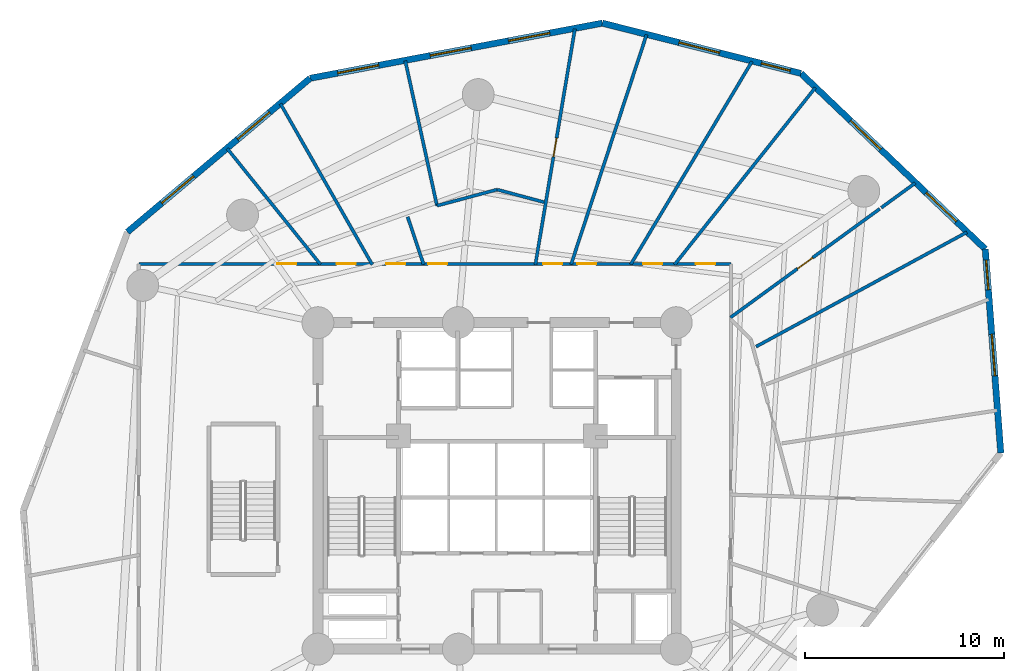
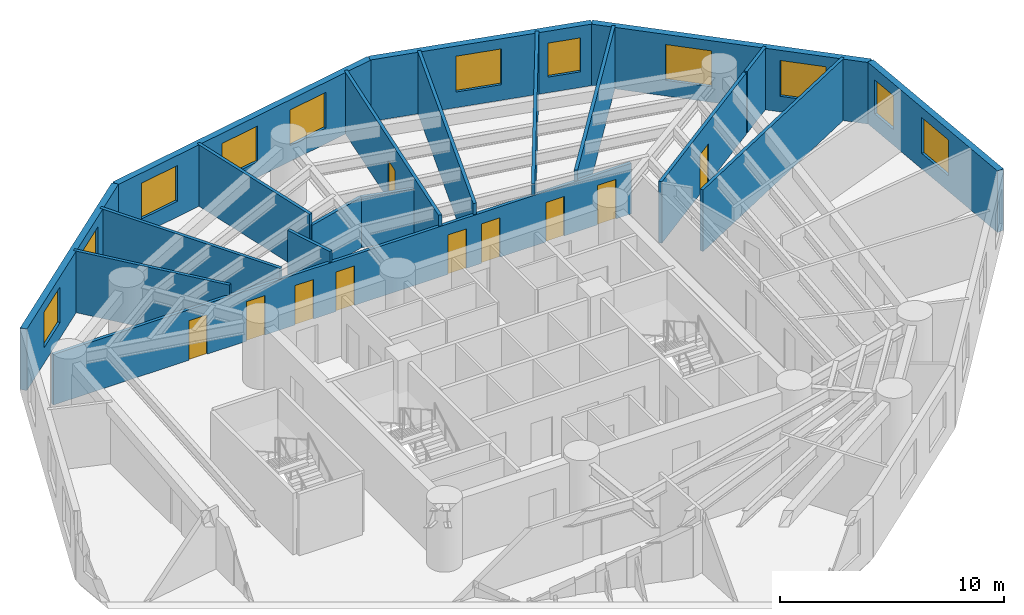
# One storey, part 6 of 8: 19 walls, 11 windows, 10 doors, 21 openings.
"""IFC4 building model written with IfcOpenShell, lengths in metres."""

from ifc_helpers import new_model, si_unit, direction, frame, frame_2d, origin, origin_with_axes, place, context, subcontext, project, spatial, rectangle, extrude, source, transform, mapped, material, layer, layer_set, type_object, element, fill, save


model = new_model("IFC4")

# Units and contexts
model_context = context("Model", 3, precision=1e-05, world=origin(), true_north=direction((0.0, 1.0)))
body_context = subcontext(model_context, "Body", "Model", "MODEL_VIEW")
ifc_project = project(units=[si_unit("LENGTHUNIT", "METRE"), si_unit("AREAUNIT", "SQUARE_METRE"), si_unit("VOLUMEUNIT", "CUBIC_METRE"), si_unit("PLANEANGLEUNIT", "RADIAN"), si_unit("MASSUNIT", "GRAM", prefix="KILO")], contexts=[model_context])

# Site, building, storey
site_placement = place(None, origin())
site = spatial("IfcSite", under=ifc_project, at=site_placement, CompositionType="ELEMENT")
building_placement = place(site_placement, origin())
building = spatial("IfcBuilding", under=site, at=building_placement, Name="Karkom Vertical University and Central Library", CompositionType="ELEMENT")
storey_placement = place(building_placement, frame((0.0, 0.0, 58.89990234375)))
storey = spatial("IfcBuildingStorey", under=building, at=storey_placement, Name="L15", CompositionType="ELEMENT", Elevation=58.89990234375)

# Wall, openings, windows
ifc_material_1 = material(Name="Brick-faced precast concrete C45/55", Category="masonry")
ifc_layer_1 = layer(ifc_material_1, 0.320068359375)
ifc_layer_set_1 = layer_set([ifc_layer_1], Name="Brick-faced precast concrete C45/55")
wall_type_1 = type_object("IfcWallType", Name="ENV-WL-BRK-320", PredefinedType="SOLIDWALL", material=ifc_layer_set_1)
wall_1_placement = place(storey_placement, frame((19.106689453125, 46.9765625, 0.0), z_axis=(0.0, 0.0, 1.0), x_axis=(-0.765142356361, -0.643861145358, 0.0)))
wall_1 = element("IfcWall", 1, at=wall_1_placement, inside=storey, type_object=wall_type_1, Name="Level 15 Brick-Faced Precast Facade Wall 01", PredefinedType="SOLIDWALL", context=body_context, shape_type="SweptSolid", body=[
    extrude(rectangle(XDim=11.993408203125, YDim=0.320068359375, at=frame_2d((5.99658203125, 0.0))), origin(), (0.0, 0.0, 1.0), 3.35009765625),
])
opening_1_placement = place(wall_1_placement, frame((2.665771484375, 0.0, 0.85009765625)))
opening_1 = element("IfcOpeningElement", 2, at=opening_1_placement, cuts=wall_1, Name="Opening WN-03", PredefinedType="OPENING", context=body_context, shape_type="SweptSolid", body=[
    extrude(rectangle(XDim=2.10009765625, YDim=1.949951171875, at=frame_2d((1.050048828125, 0.97509765625))), frame((0.0, 0.169921875, 0.0), z_axis=(0.0, -1.0, 0.0), x_axis=(1.0, 0.0, 0.0)), (0.0, 0.0, 1.0), 0.340087890625),
])
opening_2_placement = place(wall_1_placement, frame((7.647216796875, 0.0, 0.85009765625)))
opening_2 = element("IfcOpeningElement", 3, at=opening_2_placement, cuts=wall_1, Name="Opening WN-03", PredefinedType="OPENING", context=body_context, shape_type="SweptSolid", body=[
    extrude(rectangle(XDim=2.10009765625, YDim=1.949951171875, at=frame_2d((1.050048828125, 0.97509765625))), frame((0.0, 0.169921875, 0.0), z_axis=(0.0, -1.0, 0.0), x_axis=(1.0, 0.0, 0.0)), (0.0, 0.0, 1.0), 0.340087890625),
])
ifc_material_2 = material(Name="Aluminium thermal-break frame with solar-control IGU", Category="aluminium")
window_type_1 = type_object("IfcWindowType", Name="ENV-WIN-WN-03", PartitioningType="SINGLE_PANEL", PredefinedType="WINDOW", material=ifc_material_2)
shared_shape_1 = source(origin_with_axes(), body_context, "Body", "SweptSolid", [
    extrude(rectangle(XDim=2.10009765625, YDim=1.949951171875, at=frame_2d((1.050048828125, 0.97509765625))), frame((0.0, 0.030029296875, 0.0), z_axis=(0.0, -1.0, 0.0), x_axis=(1.0, 0.0, 0.0)), (0.0, 0.0, 1.0), 0.06005859375),
])
window_1_placement = place(opening_1_placement, origin())
window_1 = element("IfcWindow", 4, at=window_1_placement, inside=storey, type_object=window_type_1, Name="Level 15 Punched Window 1.1", OverallHeight=1.949951171875, OverallWidth=2.10009765625, PartitioningType="SINGLE_PANEL", PredefinedType="WINDOW", context=body_context, shape_type="MappedRepresentation", body=[
    mapped(shared_shape_1, transform((0.0, 0.0, 0.0), scale=1.0)),
])
fill(opening_1, window_1)
window_2_placement = place(opening_2_placement, origin())
window_2 = element("IfcWindow", 5, at=window_2_placement, inside=storey, type_object=window_type_1, Name="Level 15 Punched Window 1.2", OverallHeight=1.949951171875, OverallWidth=2.10009765625, PartitioningType="SINGLE_PANEL", PredefinedType="WINDOW", context=body_context, shape_type="MappedRepresentation", body=[
    mapped(shared_shape_1, transform((0.0, 0.0, 0.0), scale=1.0)),
])
fill(opening_2, window_2)

wall_2_placement = place(storey_placement, frame((53.804931640625, 28.154296875, 0.0), z_axis=(0.0, 0.0, 1.0), x_axis=(-0.075969391625, 0.997110150152, 0.0)))
wall_2 = element("IfcWall", 6, at=wall_2_placement, inside=storey, type_object=wall_type_1, Name="Level 15 Brick-Faced Precast Facade Wall 09", PredefinedType="SOLIDWALL", context=body_context, shape_type="SweptSolid", body=[
    extrude(rectangle(XDim=10.27099609375, YDim=0.320068359375, at=frame_2d((5.135498046875, 0.0))), origin(), (0.0, 0.0, 1.0), 3.35009765625),
])
opening_3_placement = place(wall_2_placement, frame((3.8828125, 0.0, 0.85009765625)))
opening_3 = element("IfcOpeningElement", 7, at=opening_3_placement, cuts=wall_2, Name="Opening WN-03", PredefinedType="OPENING", context=body_context, shape_type="SweptSolid", body=[
    extrude(rectangle(XDim=2.10009765625, YDim=1.949951171875, at=frame_2d((1.050048828125, 0.97509765625))), frame((0.0, 0.169921875, 0.0), z_axis=(0.0, -1.0, 0.0), x_axis=(1.0, 0.0, 0.0)), (0.0, 0.0, 1.0), 0.340087890625),
])
opening_4_placement = place(wall_2_placement, frame((8.21728515625, 0.0, 0.85009765625)))
opening_4 = element("IfcOpeningElement", 8, at=opening_4_placement, cuts=wall_2, Name="Opening WN-05", PredefinedType="OPENING", context=body_context, shape_type="SweptSolid", body=[
    extrude(rectangle(XDim=1.5, YDim=1.85009765625, at=frame_2d((0.75, 0.925048828125))), frame((0.0, 0.169921875, 0.0), z_axis=(0.0, -1.0, 0.0), x_axis=(1.0, 0.0, 0.0)), (0.0, 0.0, 1.0), 0.340087890625),
])
window_3_placement = place(opening_3_placement, origin())
window_3 = element("IfcWindow", 9, at=window_3_placement, inside=storey, type_object=window_type_1, Name="Level 15 Punched Window 9.1", OverallHeight=1.949951171875, OverallWidth=2.10009765625, PartitioningType="SINGLE_PANEL", PredefinedType="WINDOW", context=body_context, shape_type="MappedRepresentation", body=[
    mapped(shared_shape_1, transform((0.0, 0.0, 0.0), scale=1.0)),
])
fill(opening_3, window_3)
window_type_2 = type_object("IfcWindowType", Name="ENV-WIN-WN-05", PartitioningType="SINGLE_PANEL", PredefinedType="WINDOW", material=ifc_material_2)
shared_shape_2 = source(origin_with_axes(), body_context, "Body", "SweptSolid", [
    extrude(rectangle(XDim=1.5, YDim=1.85009765625, at=frame_2d((0.75, 0.925048828125))), frame((0.0, 0.030029296875, 0.0), z_axis=(0.0, -1.0, 0.0), x_axis=(1.0, 0.0, 0.0)), (0.0, 0.0, 1.0), 0.06005859375),
])
window_4_placement = place(opening_4_placement, origin())
window_4 = element("IfcWindow", 10, at=window_4_placement, inside=storey, type_object=window_type_2, Name="Level 15 Punched Window 9.2", OverallHeight=1.85009765625, OverallWidth=1.5, PartitioningType="SINGLE_PANEL", PredefinedType="WINDOW", context=body_context, shape_type="MappedRepresentation", body=[
    mapped(shared_shape_2, transform((0.0, 0.0, 0.0), scale=1.0)),
])
fill(opening_4, window_4)

wall_3_placement = place(storey_placement, frame((53.024658203125, 38.3955078125, 0.0), z_axis=(0.0, 0.0, 1.0), x_axis=(-0.723870091165, 0.68993629497, 0.0)))
wall_3 = element("IfcWall", 11, at=wall_3_placement, inside=storey, type_object=wall_type_1, Name="Level 15 Brick-Faced Precast Facade Wall 10", PredefinedType="SOLIDWALL", context=body_context, shape_type="SweptSolid", body=[
    extrude(rectangle(XDim=12.7919921875, YDim=0.320068359375, at=frame_2d((6.39599609375, 0.0))), origin(), (0.0, 0.0, 1.0), 3.35009765625),
])
opening_5_placement = place(wall_3_placement, frame((2.00390625, 0.0, 0.85009765625)))
opening_5 = element("IfcOpeningElement", 12, at=opening_5_placement, cuts=wall_3, Name="Opening WN-03", PredefinedType="OPENING", context=body_context, shape_type="SweptSolid", body=[
    extrude(rectangle(XDim=2.10009765625, YDim=1.949951171875, at=frame_2d((1.050048828125, 0.97509765625))), frame((0.0, 0.169921875, 0.0), z_axis=(0.0, -1.0, 0.0), x_axis=(1.0, 0.0, 0.0)), (0.0, 0.0, 1.0), 0.340087890625),
])
opening_6_placement = place(wall_3_placement, frame((7.257080078125, 0.0, 0.85009765625)))
opening_6 = element("IfcOpeningElement", 13, at=opening_6_placement, cuts=wall_3, Name="Opening WN-03", PredefinedType="OPENING", context=body_context, shape_type="SweptSolid", body=[
    extrude(rectangle(XDim=2.10009765625, YDim=1.949951171875, at=frame_2d((1.050048828125, 0.97509765625))), frame((0.0, 0.169921875, 0.0), z_axis=(0.0, -1.0, 0.0), x_axis=(1.0, 0.0, 0.0)), (0.0, 0.0, 1.0), 0.340087890625),
])
window_5_placement = place(opening_5_placement, origin())
window_5 = element("IfcWindow", 14, at=window_5_placement, inside=storey, type_object=window_type_1, Name="Level 15 Punched Window 10.1", OverallHeight=1.949951171875, OverallWidth=2.10009765625, PartitioningType="SINGLE_PANEL", PredefinedType="WINDOW", context=body_context, shape_type="MappedRepresentation", body=[
    mapped(shared_shape_1, transform((0.0, 0.0, 0.0), scale=1.0)),
])
fill(opening_5, window_5)
window_6_placement = place(opening_6_placement, origin())
window_6 = element("IfcWindow", 15, at=window_6_placement, inside=storey, type_object=window_type_1, Name="Level 15 Punched Window 10.2", OverallHeight=1.949951171875, OverallWidth=2.10009765625, PartitioningType="SINGLE_PANEL", PredefinedType="WINDOW", context=body_context, shape_type="MappedRepresentation", body=[
    mapped(shared_shape_1, transform((0.0, 0.0, 0.0), scale=1.0)),
])
fill(opening_6, window_6)

wall_4_placement = place(storey_placement, frame((43.764892578125, 47.22119140625, 0.0), z_axis=(0.0, 0.0, 1.0), x_axis=(-0.969457791921, 0.245258210228, 0.0)))
wall_4 = element("IfcWall", 16, at=wall_4_placement, inside=storey, type_object=wall_type_1, Name="Level 15 Brick-Faced Precast Facade Wall 11", PredefinedType="SOLIDWALL", context=body_context, shape_type="SweptSolid", body=[
    extrude(rectangle(XDim=10.29296875, YDim=0.320068359375, at=frame_2d((5.146484375, 0.0))), origin(), (0.0, 0.0, 1.0), 3.35009765625),
])
opening_7_placement = place(wall_4_placement, frame((0.55078125, 0.0, 0.85009765625)))
opening_7 = element("IfcOpeningElement", 17, at=opening_7_placement, cuts=wall_4, Name="Opening WN-05", PredefinedType="OPENING", context=body_context, shape_type="SweptSolid", body=[
    extrude(rectangle(XDim=1.5, YDim=1.85009765625, at=frame_2d((0.75, 0.925048828125))), frame((0.0, 0.169921875, 0.0), z_axis=(0.0, -1.0, 0.0), x_axis=(1.0, 0.0, 0.0)), (0.0, 0.0, 1.0), 0.340087890625),
])
opening_8_placement = place(wall_4_placement, frame((4.22021484375, 0.0, 0.85009765625)))
opening_8 = element("IfcOpeningElement", 18, at=opening_8_placement, cuts=wall_4, Name="Opening WN-03", PredefinedType="OPENING", context=body_context, shape_type="SweptSolid", body=[
    extrude(rectangle(XDim=2.10009765625, YDim=1.949951171875, at=frame_2d((1.050048828125, 0.97509765625))), frame((0.0, 0.169921875, 0.0), z_axis=(0.0, -1.0, 0.0), x_axis=(1.0, 0.0, 0.0)), (0.0, 0.0, 1.0), 0.340087890625),
])
window_7_placement = place(opening_8_placement, origin())
window_7 = element("IfcWindow", 19, at=window_7_placement, inside=storey, type_object=window_type_1, Name="Level 15 Punched Window 11.2", OverallHeight=1.949951171875, OverallWidth=2.10009765625, PartitioningType="SINGLE_PANEL", PredefinedType="WINDOW", context=body_context, shape_type="MappedRepresentation", body=[
    mapped(shared_shape_1, transform((0.0, 0.0, 0.0), scale=1.0)),
])
fill(opening_8, window_7)
window_8_placement = place(opening_7_placement, origin())
window_8 = element("IfcWindow", 20, at=window_8_placement, inside=storey, type_object=window_type_2, Name="Level 15 Punched Window 11.1", OverallHeight=1.85009765625, OverallWidth=1.5, PartitioningType="SINGLE_PANEL", PredefinedType="WINDOW", context=body_context, shape_type="MappedRepresentation", body=[
    mapped(shared_shape_2, transform((0.0, 0.0, 0.0), scale=1.0)),
])
fill(opening_7, window_8)

wall_5_placement = place(storey_placement, frame((33.786376953125, 49.74560546875, 0.0), z_axis=(0.0, 0.0, 1.0), x_axis=(-0.982670304511, -0.185362004287, 0.0)))
wall_5 = element("IfcWall", 21, at=wall_5_placement, inside=storey, type_object=wall_type_1, Name="Level 15 Brick-Faced Precast Facade Wall 12", PredefinedType="SOLIDWALL", context=body_context, shape_type="SweptSolid", body=[
    extrude(rectangle(XDim=14.9384765625, YDim=0.320068359375, at=frame_2d((7.46923828125, 0.0))), origin(), (0.0, 0.0, 1.0), 3.35009765625),
])
opening_9_placement = place(wall_5_placement, frame((2.694091796875, 0.0, 0.85009765625)))
opening_9 = element("IfcOpeningElement", 22, at=opening_9_placement, cuts=wall_5, Name="Opening WN-03", PredefinedType="OPENING", context=body_context, shape_type="SweptSolid", body=[
    extrude(rectangle(XDim=2.10009765625, YDim=1.949951171875, at=frame_2d((1.050048828125, 0.97509765625))), frame((0.0, 0.169921875, 0.0), z_axis=(0.0, -1.0, 0.0), x_axis=(1.0, 0.0, 0.0)), (0.0, 0.0, 1.0), 0.340087890625),
])
opening_10_placement = place(wall_5_placement, frame((6.70263671875, 0.0, 0.85009765625)))
opening_10 = element("IfcOpeningElement", 23, at=opening_10_placement, cuts=wall_5, Name="Opening WN-03", PredefinedType="OPENING", context=body_context, shape_type="SweptSolid", body=[
    extrude(rectangle(XDim=2.10009765625, YDim=1.949951171875, at=frame_2d((1.050048828125, 0.97509765625))), frame((0.0, 0.169921875, 0.0), z_axis=(0.0, -1.0, 0.0), x_axis=(1.0, 0.0, 0.0)), (0.0, 0.0, 1.0), 0.340087890625),
])
opening_11_placement = place(wall_5_placement, frame((11.427734375, 0.0, 0.85009765625)))
opening_11 = element("IfcOpeningElement", 24, at=opening_11_placement, cuts=wall_5, Name="Opening WN-03", PredefinedType="OPENING", context=body_context, shape_type="SweptSolid", body=[
    extrude(rectangle(XDim=2.10009765625, YDim=1.949951171875, at=frame_2d((1.050048828125, 0.97509765625))), frame((0.0, 0.169921875, 0.0), z_axis=(0.0, -1.0, 0.0), x_axis=(1.0, 0.0, 0.0)), (0.0, 0.0, 1.0), 0.340087890625),
])
window_9_placement = place(opening_9_placement, origin())
window_9 = element("IfcWindow", 25, at=window_9_placement, inside=storey, type_object=window_type_1, Name="Level 15 Punched Window 12.1", OverallHeight=1.949951171875, OverallWidth=2.10009765625, PartitioningType="SINGLE_PANEL", PredefinedType="WINDOW", context=body_context, shape_type="MappedRepresentation", body=[
    mapped(shared_shape_1, transform((0.0, 0.0, 0.0), scale=1.0)),
])
fill(opening_9, window_9)
window_10_placement = place(opening_10_placement, origin())
window_10 = element("IfcWindow", 26, at=window_10_placement, inside=storey, type_object=window_type_1, Name="Level 15 Punched Window 12.2", OverallHeight=1.949951171875, OverallWidth=2.10009765625, PartitioningType="SINGLE_PANEL", PredefinedType="WINDOW", context=body_context, shape_type="MappedRepresentation", body=[
    mapped(shared_shape_1, transform((0.0, 0.0, 0.0), scale=1.0)),
])
fill(opening_10, window_10)
window_11_placement = place(opening_11_placement, origin())
window_11 = element("IfcWindow", 27, at=window_11_placement, inside=storey, type_object=window_type_1, Name="Level 15 Punched Window 12.3", OverallHeight=1.949951171875, OverallWidth=2.10009765625, PartitioningType="SINGLE_PANEL", PredefinedType="WINDOW", context=body_context, shape_type="MappedRepresentation", body=[
    mapped(shared_shape_1, transform((0.0, 0.0, 0.0), scale=1.0)),
])
fill(opening_11, window_11)

# Wall, openings, doors
ifc_material_3 = material(Name="Insulated metal-stud drywall 160mm", Category="gypsum")
ifc_layer_2 = layer(ifc_material_3, 0.159912109375)
ifc_layer_set_2 = layer_set([ifc_layer_2], Name="Insulated metal-stud drywall 160mm")
wall_type_2 = type_object("IfcWallType", Name="INT-WL-COR-160", PredefinedType="PARTITIONING", material=ifc_layer_set_2)
wall_6_placement = place(storey_placement, frame((10.5, 37.64990234375, 0.0), z_axis=(0.0, 0.0, 1.0), x_axis=(1.0, 0.0, 0.0)))
wall_6 = element("IfcWall", 28, at=wall_6_placement, inside=storey, type_object=wall_type_2, Name="Level 15 Interior Partition Wall L15-CORW-CW-003", PredefinedType="PARTITIONING", context=body_context, shape_type="SweptSolid", body=[
    extrude(rectangle(XDim=29.75, YDim=0.159912109375, at=frame_2d((14.875, 0.0))), origin(), (0.0, 0.0, 1.0), 2.75),
])
opening_12_placement = place(wall_6_placement, frame((27.990234375, 0.0, 0.0)))
opening_12 = element("IfcOpeningElement", 29, at=opening_12_placement, cuts=wall_6, Name="Opening FD-RM2", PredefinedType="OPENING", context=body_context, shape_type="SweptSolid", body=[
    extrude(rectangle(XDim=0.9599609375, YDim=2.14990234375, at=frame_2d((0.47998046875, 1.074951171875))), frame((0.0, 0.08984375, 0.0), z_axis=(0.0, -1.0, 0.0), x_axis=(1.0, 0.0, 0.0)), (0.0, 0.0, 1.0), 0.179931640625),
])
opening_13_placement = place(wall_6_placement, frame((25.341796875, 0.0, 0.0)))
opening_13 = element("IfcOpeningElement", 30, at=opening_13_placement, cuts=wall_6, Name="Opening D-RM1", PredefinedType="OPENING", context=body_context, shape_type="SweptSolid", body=[
    extrude(rectangle(XDim=0.949951171875, YDim=2.14990234375, at=frame_2d((0.47509765625, 1.074951171875))), frame((0.0, 0.08984375, 0.0), z_axis=(0.0, -1.0, 0.0), x_axis=(1.0, 0.0, 0.0)), (0.0, 0.0, 1.0), 0.179931640625),
])
opening_14_placement = place(wall_6_placement, frame((22.027587890625, 0.0, 0.0)))
opening_14 = element("IfcOpeningElement", 31, at=opening_14_placement, cuts=wall_6, Name="Opening D-RM1", PredefinedType="OPENING", context=body_context, shape_type="SweptSolid", body=[
    extrude(rectangle(XDim=0.949951171875, YDim=2.14990234375, at=frame_2d((0.47509765625, 1.074951171875))), frame((0.0, 0.08984375, 0.0), z_axis=(0.0, -1.0, 0.0), x_axis=(1.0, 0.0, 0.0)), (0.0, 0.0, 1.0), 0.179931640625),
])
opening_15_placement = place(wall_6_placement, frame((20.3095703125, 0.0, 0.0)))
opening_15 = element("IfcOpeningElement", 32, at=opening_15_placement, cuts=wall_6, Name="Opening FD-RM2", PredefinedType="OPENING", context=body_context, shape_type="SweptSolid", body=[
    extrude(rectangle(XDim=0.9599609375, YDim=2.14990234375, at=frame_2d((0.47998046875, 1.074951171875))), frame((0.0, 0.08984375, 0.0), z_axis=(0.0, -1.0, 0.0), x_axis=(1.0, 0.0, 0.0)), (0.0, 0.0, 1.0), 0.179931640625),
])
opening_16_placement = place(wall_6_placement, frame((14.5400390625, 0.0, 0.0)))
opening_16 = element("IfcOpeningElement", 33, at=opening_16_placement, cuts=wall_6, Name="Opening D-RM1", PredefinedType="OPENING", context=body_context, shape_type="SweptSolid", body=[
    extrude(rectangle(XDim=0.949951171875, YDim=2.14990234375, at=frame_2d((0.47509765625, 1.074951171875))), frame((0.0, 0.08984375, 0.0), z_axis=(0.0, -1.0, 0.0), x_axis=(1.0, 0.0, 0.0)), (0.0, 0.0, 1.0), 0.179931640625),
])
opening_17_placement = place(wall_6_placement, frame((12.430419921875, 0.0, 0.0)))
opening_17 = element("IfcOpeningElement", 34, at=opening_17_placement, cuts=wall_6, Name="Opening FD-RM2", PredefinedType="OPENING", context=body_context, shape_type="SweptSolid", body=[
    extrude(rectangle(XDim=0.9599609375, YDim=2.14990234375, at=frame_2d((0.47998046875, 1.074951171875))), frame((0.0, 0.08984375, 0.0), z_axis=(0.0, -1.0, 0.0), x_axis=(1.0, 0.0, 0.0)), (0.0, 0.0, 1.0), 0.179931640625),
])
opening_18_placement = place(wall_6_placement, frame((9.9375, 0.0, 0.0)))
opening_18 = element("IfcOpeningElement", 35, at=opening_18_placement, cuts=wall_6, Name="Opening D-RM1", PredefinedType="OPENING", context=body_context, shape_type="SweptSolid", body=[
    extrude(rectangle(XDim=0.949951171875, YDim=2.14990234375, at=frame_2d((0.47509765625, 1.074951171875))), frame((0.0, 0.08984375, 0.0), z_axis=(0.0, -1.0, 0.0), x_axis=(1.0, 0.0, 0.0)), (0.0, 0.0, 1.0), 0.179931640625),
])
opening_19_placement = place(wall_6_placement, frame((6.96240234375, 0.0, 0.0)))
opening_19 = element("IfcOpeningElement", 36, at=opening_19_placement, cuts=wall_6, Name="Opening D-RM1", PredefinedType="OPENING", context=body_context, shape_type="SweptSolid", body=[
    extrude(rectangle(XDim=0.949951171875, YDim=2.14990234375, at=frame_2d((0.47509765625, 1.074951171875))), frame((0.0, 0.08984375, 0.0), z_axis=(0.0, -1.0, 0.0), x_axis=(1.0, 0.0, 0.0)), (0.0, 0.0, 1.0), 0.179931640625),
])
ifc_material_4 = material(Name="Fire-rated oak veneer door", Category="wood")
door_type_1 = type_object("IfcDoorType", Name="INT-DR-FRM2", OperationType="NOTDEFINED", PredefinedType="DOOR", material=ifc_material_4)
shared_shape_3 = source(origin_with_axes(), body_context, "Body", "SweptSolid", [
    extrude(rectangle(XDim=0.9599609375, YDim=2.14990234375, at=frame_2d((0.47998046875, 1.074951171875))), frame((0.0, 0.02490234375, 0.0), z_axis=(0.0, -1.0, 0.0), x_axis=(1.0, 0.0, 0.0)), (0.0, 0.0, 1.0), 0.050048828125),
])
door_1_placement = place(opening_12_placement, origin())
door_1 = element("IfcDoor", 37, at=door_1_placement, inside=storey, type_object=door_type_1, Name="Level 15 Room Entry Door 180", OperationType="SINGLE_SWING_RIGHT", OverallHeight=2.14990234375, OverallWidth=0.9599609375, PredefinedType="DOOR", context=body_context, shape_type="MappedRepresentation", body=[
    mapped(shared_shape_3, transform((0.0, 0.0, 0.0), scale=1.0)),
])
fill(opening_12, door_1)
door_2_placement = place(opening_15_placement, origin())
door_2 = element("IfcDoor", 38, at=door_2_placement, inside=storey, type_object=door_type_1, Name="Level 15 Room Entry Door 210", OperationType="SINGLE_SWING_LEFT", OverallHeight=2.14990234375, OverallWidth=0.9599609375, PredefinedType="DOOR", context=body_context, shape_type="MappedRepresentation", body=[
    mapped(shared_shape_3, transform((0.0, 0.0, 0.0), scale=1.0)),
])
fill(opening_15, door_2)
door_3_placement = place(opening_17_placement, origin())
door_3 = element("IfcDoor", 39, at=door_3_placement, inside=storey, type_object=door_type_1, Name="Level 15 Room Entry Door 240", OperationType="SINGLE_SWING_LEFT", OverallHeight=2.14990234375, OverallWidth=0.9599609375, PredefinedType="DOOR", context=body_context, shape_type="MappedRepresentation", body=[
    mapped(shared_shape_3, transform((0.0, 0.0, 0.0), scale=1.0)),
])
fill(opening_17, door_3)
ifc_material_5 = material(Name="Solid-core oak veneer door", Category="wood")
door_type_2 = type_object("IfcDoorType", Name="INT-DR-RM1", OperationType="NOTDEFINED", PredefinedType="DOOR", material=ifc_material_5)
shared_shape_4 = source(origin_with_axes(), body_context, "Body", "SweptSolid", [
    extrude(rectangle(XDim=0.949951171875, YDim=2.14990234375, at=frame_2d((0.47509765625, 1.074951171875))), frame((0.0, 0.02490234375, 0.0), z_axis=(0.0, -1.0, 0.0), x_axis=(1.0, 0.0, 0.0)), (0.0, 0.0, 1.0), 0.050048828125),
])
door_4_placement = place(opening_13_placement, origin())
door_4 = element("IfcDoor", 40, at=door_4_placement, inside=storey, type_object=door_type_2, Name="Level 15 Room Entry Door 190", OperationType="SINGLE_SWING_LEFT", OverallHeight=2.14990234375, OverallWidth=0.949951171875, PredefinedType="DOOR", context=body_context, shape_type="MappedRepresentation", body=[
    mapped(shared_shape_4, transform((0.0, 0.0, 0.0), scale=1.0)),
])
fill(opening_13, door_4)
door_5_placement = place(opening_14_placement, origin())
door_5 = element("IfcDoor", 41, at=door_5_placement, inside=storey, type_object=door_type_2, Name="Level 15 Room Entry Door 200", OperationType="SINGLE_SWING_RIGHT", OverallHeight=2.14990234375, OverallWidth=0.949951171875, PredefinedType="DOOR", context=body_context, shape_type="MappedRepresentation", body=[
    mapped(shared_shape_4, transform((0.0, 0.0, 0.0), scale=1.0)),
])
fill(opening_14, door_5)
door_6_placement = place(opening_16_placement, origin())
door_6 = element("IfcDoor", 42, at=door_6_placement, inside=storey, type_object=door_type_2, Name="Level 15 Room Entry Door 230", OperationType="SINGLE_SWING_RIGHT", OverallHeight=2.14990234375, OverallWidth=0.949951171875, PredefinedType="DOOR", context=body_context, shape_type="MappedRepresentation", body=[
    mapped(shared_shape_4, transform((0.0, 0.0, 0.0), scale=1.0)),
])
fill(opening_16, door_6)
door_7_placement = place(opening_18_placement, origin())
door_7 = element("IfcDoor", 43, at=door_7_placement, inside=storey, type_object=door_type_2, Name="Level 15 Room Entry Door 250", OperationType="SINGLE_SWING_RIGHT", OverallHeight=2.14990234375, OverallWidth=0.949951171875, PredefinedType="DOOR", context=body_context, shape_type="MappedRepresentation", body=[
    mapped(shared_shape_4, transform((0.0, 0.0, 0.0), scale=1.0)),
])
fill(opening_18, door_7)
door_8_placement = place(opening_19_placement, origin())
door_8 = element("IfcDoor", 44, at=door_8_placement, inside=storey, type_object=door_type_2, Name="Level 15 Room Entry Door 260", OperationType="SINGLE_SWING_LEFT", OverallHeight=2.14990234375, OverallWidth=0.949951171875, PredefinedType="DOOR", context=body_context, shape_type="MappedRepresentation", body=[
    mapped(shared_shape_4, transform((0.0, 0.0, 0.0), scale=1.0)),
])
fill(opening_19, door_8)

# Walls
wall_7_placement = place(storey_placement, frame((32.216552734375, 37.62158203125, 0.0), z_axis=(0.0, 0.0, 1.0), x_axis=(0.312093146775, 0.950051507938, 0.0)))
element("IfcWall", 45, at=wall_7_placement, inside=storey, type_object=wall_type_2, Name="Level 15 Interior Partition Wall L15-PW-034", PredefinedType="PARTITIONING", context=body_context, shape_type="SweptSolid", body=[
    extrude(rectangle(XDim=12.14306640625, YDim=0.159912109375, at=frame_2d((6.071533203125, 0.0))), origin(), (0.0, 0.0, 1.0), 3.35009765625),
])
wall_8_placement = place(storey_placement, frame((41.509033203125, 33.4931640625, 0.0), z_axis=(0.0, 0.0, 1.0), x_axis=(0.878867997108, 0.477065030849, 0.0)))
element("IfcWall", 46, at=wall_8_placement, inside=storey, type_object=wall_type_2, Name="Level 15 Interior Partition Wall L15-PW-029", PredefinedType="PARTITIONING", context=body_context, shape_type="SweptSolid", body=[
    extrude(rectangle(XDim=12.0478515625, YDim=0.159912109375, at=frame_2d((6.02392578125, 0.0))), origin(), (0.0, 0.0, 1.0), 3.35009765625),
])

# Wall, opening, door
wall_9_placement = place(storey_placement, frame((30.422119140625, 37.605712890625, 0.0), z_axis=(0.0, 0.0, 1.0), x_axis=(0.165308290963, 0.986241942395, 0.0)))
wall_9 = element("IfcWall", 47, at=wall_9_placement, inside=storey, type_object=wall_type_2, Name="Level 15 Interior Partition Wall L15-PW-035", PredefinedType="PARTITIONING", context=body_context, shape_type="SweptSolid", body=[
    extrude(rectangle(XDim=12.015869140625, YDim=0.159912109375, at=frame_2d((6.0078125, 0.0))), origin(), (0.0, 0.0, 1.0), 3.35009765625),
])
opening_20_placement = place(wall_9_placement, frame((5.508056640625, 0.0, 0.0)))
opening_20 = element("IfcOpeningElement", 48, at=opening_20_placement, cuts=wall_9, Name="Opening D-RM1", PredefinedType="OPENING", context=body_context, shape_type="SweptSolid", body=[
    extrude(rectangle(XDim=0.949951171875, YDim=2.14990234375, at=frame_2d((0.47509765625, 1.074951171875))), frame((0.0, 0.08984375, 0.0), z_axis=(0.0, -1.0, 0.0), x_axis=(1.0, 0.0, 0.0)), (0.0, 0.0, 1.0), 0.179931640625),
])
door_9_placement = place(opening_20_placement, origin())
door_9 = element("IfcDoor", 49, at=door_9_placement, inside=storey, type_object=door_type_2, Name="Level 15 Room Entry Door 220", OperationType="SINGLE_SWING_RIGHT", OverallHeight=2.14990234375, OverallWidth=0.949951171875, PredefinedType="DOOR", context=body_context, shape_type="MappedRepresentation", body=[
    mapped(shared_shape_4, transform((0.0, 0.0, 0.0), scale=1.0)),
])
fill(opening_20, door_9)

# Walls
wall_10_placement = place(storey_placement, frame((35.215576171875, 37.624267578125, 0.0), z_axis=(0.0, 0.0, 1.0), x_axis=(0.512843441424, 0.858482151584, 0.0)))
element("IfcWall", 50, at=wall_10_placement, inside=storey, type_object=wall_type_2, Name="Level 15 Interior Partition Wall L15-PW-033", PredefinedType="PARTITIONING", context=body_context, shape_type="SweptSolid", body=[
    extrude(rectangle(XDim=11.870849609375, YDim=0.159912109375, at=frame_2d((5.935546875, 0.0))), origin(), (0.0, 0.0, 1.0), 3.35009765625),
])
wall_11_placement = place(storey_placement, frame((37.41650390625, 37.61474609375, 0.0), z_axis=(0.0, 0.0, 1.0), x_axis=(0.622458314279, 0.782652954371, 0.0)))
element("IfcWall", 51, at=wall_11_placement, inside=storey, type_object=wall_type_2, Name="Level 15 Interior Partition Wall L15-PW-032", PredefinedType="PARTITIONING", context=body_context, shape_type="SweptSolid", body=[
    extrude(rectangle(XDim=11.35400390625, YDim=0.159912109375, at=frame_2d((5.677001953125, 0.0))), origin(), (0.0, 0.0, 1.0), 3.35009765625),
])

# Wall, opening, door
wall_12_placement = place(storey_placement, frame((40.2255859375, 34.95947265625, 0.0), z_axis=(0.0, 0.0, 1.0), x_axis=(0.808542491837, 0.588437795264, 0.0)))
wall_12 = element("IfcWall", 52, at=wall_12_placement, inside=storey, type_object=wall_type_2, Name="Level 15 Interior Partition Wall L15-PW-030", PredefinedType="PARTITIONING", context=body_context, shape_type="SweptSolid", body=[
    extrude(rectangle(XDim=9.27294921875, YDim=0.159912109375, at=frame_2d((4.636474609375, 0.0))), origin(), (0.0, 0.0, 1.0), 3.35009765625),
])
opening_21_placement = place(wall_12_placement, frame((4.161376953125, 0.0, 0.0)))
opening_21 = element("IfcOpeningElement", 53, at=opening_21_placement, cuts=wall_12, Name="Opening D-RM1", PredefinedType="OPENING", context=body_context, shape_type="SweptSolid", body=[
    extrude(rectangle(XDim=0.949951171875, YDim=2.14990234375, at=frame_2d((0.47509765625, 1.074951171875))), frame((0.0, 0.08984375, 0.0), z_axis=(0.0, -1.0, 0.0), x_axis=(1.0, 0.0, 0.0)), (0.0, 0.0, 1.0), 0.179931640625),
])
door_10_placement = place(opening_21_placement, origin())
door_10 = element("IfcDoor", 54, at=door_10_placement, inside=storey, type_object=door_type_2, Name="Level 15 Room Entry Door 170", OperationType="SINGLE_SWING_LEFT", OverallHeight=2.14990234375, OverallWidth=0.949951171875, PredefinedType="DOOR", context=body_context, shape_type="MappedRepresentation", body=[
    mapped(shared_shape_4, transform((0.0, 0.0, 0.0), scale=1.0)),
])
fill(opening_21, door_10)

# Walls
wall_13_placement = place(storey_placement, frame((22.23046875, 37.61083984375, 0.0), z_axis=(0.0, 0.0, 1.0), x_axis=(-0.495519914541, 0.868596577413, 0.0)))
element("IfcWall", 55, at=wall_13_placement, inside=storey, type_object=wall_type_2, Name="Level 15 Interior Partition Wall L15-PW-040", PredefinedType="PARTITIONING", context=body_context, shape_type="SweptSolid", body=[
    extrude(rectangle(XDim=9.303466796875, YDim=0.159912109375, at=frame_2d((4.65185546875, 0.0))), origin(), (0.0, 0.0, 1.0), 3.35009765625),
])
wall_14_placement = place(storey_placement, frame((19.624267578125, 37.626708984375, 0.0), z_axis=(0.0, 0.0, 1.0), x_axis=(-0.62690240397, 0.779097796106, 0.0)))
element("IfcWall", 56, at=wall_14_placement, inside=storey, type_object=wall_type_2, Name="Level 15 Interior Partition Wall L15-PW-041", PredefinedType="PARTITIONING", context=body_context, shape_type="SweptSolid", body=[
    extrude(rectangle(XDim=7.464111328125, YDim=0.159912109375, at=frame_2d((3.73193359375, 0.0))), origin(), (0.0, 0.0, 1.0), 3.35009765625),
])
wall_15_placement = place(storey_placement, frame((25.48095703125, 40.573974609375, 0.0), z_axis=(0.0, 0.0, 1.0), x_axis=(-0.213820972917, 0.97687286355, 0.0)))
element("IfcWall", 57, at=wall_15_placement, inside=storey, type_object=wall_type_2, Name="Level 15 Interior Partition Wall L15-PW-038", PredefinedType="PARTITIONING", context=body_context, shape_type="SweptSolid", body=[
    extrude(rectangle(XDim=7.451416015625, YDim=0.159912109375, at=frame_2d((3.7255859375, 0.0))), origin(), (0.0, 0.0, 1.0), 3.35009765625),
])
wall_16_placement = place(storey_placement, frame((28.5, 41.3828125, 0.0), z_axis=(0.0, 0.0, 1.0), x_axis=(-0.965934803012, -0.258785541192, 0.0)))
element("IfcWall", 58, at=wall_16_placement, inside=storey, type_object=wall_type_2, Name="Level 15 Interior Partition Wall L15-PW-036", PredefinedType="PARTITIONING", context=body_context, shape_type="SweptSolid", body=[
    extrude(rectangle(XDim=3.12548828125, YDim=0.159912109375, at=frame_2d((1.562744140625, 0.0))), origin(), (0.0, 0.0, 1.0), 2.75),
])
wall_17_placement = place(storey_placement, frame((24.811767578125, 37.62158203125, 0.0), z_axis=(0.0, 0.0, 1.0), x_axis=(-0.319650532491, 0.947535507028, 0.0)))
element("IfcWall", 59, at=wall_17_placement, inside=storey, type_object=wall_type_2, Name="Level 15 Interior Partition Wall L15-PW-039", PredefinedType="PARTITIONING", context=body_context, shape_type="SweptSolid", body=[
    extrude(rectangle(XDim=2.5234375, YDim=0.159912109375, at=frame_2d((1.26171875, 0.0))), origin(), (0.0, 0.0, 1.0), 3.35009765625),
])
wall_18_placement = place(storey_placement, frame((30.861083984375, 40.750244140625, 0.0), z_axis=(0.0, 0.0, 1.0), x_axis=(-0.965934231635, 0.258787673887, 0.0)))
element("IfcWall", 60, at=wall_18_placement, inside=storey, type_object=wall_type_2, Name="Level 15 Interior Partition Wall L15-PW-037", PredefinedType="PARTITIONING", context=body_context, shape_type="SweptSolid", body=[
    extrude(rectangle(XDim=2.4443359375, YDim=0.159912109375, at=frame_2d((1.22216796875, 0.0))), origin(), (0.0, 0.0, 1.0), 2.75),
])
wall_19_placement = place(storey_placement, frame((47.800048828125, 40.471923828125, 0.0), z_axis=(0.0, 0.0, 1.0), x_axis=(0.808540878302, 0.588440012333, 0.0)))
element("IfcWall", 61, at=wall_19_placement, inside=storey, type_object=wall_type_2, Name="Level 15 Interior Partition Wall L15-PW-031", PredefinedType="PARTITIONING", context=body_context, shape_type="SweptSolid", body=[
    extrude(rectangle(XDim=2.109619140625, YDim=0.159912109375, at=frame_2d((1.0546875, 0.0))), origin(), (0.0, 0.0, 1.0), 3.35009765625),
])

save(model, "model.ifc")
